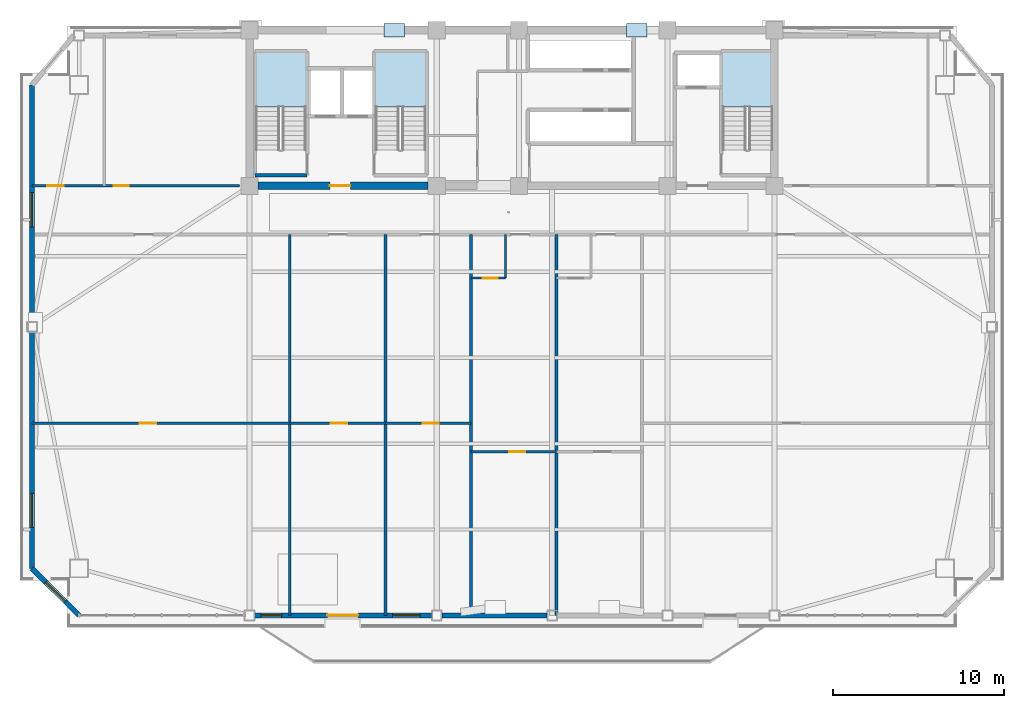
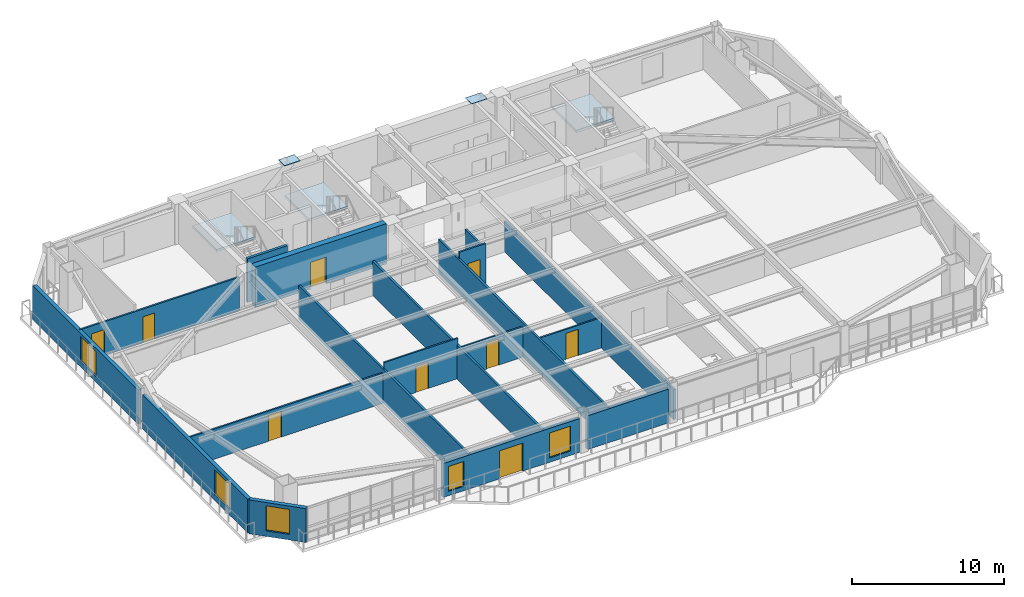
# One storey, part 8 of 17: 18 walls, 9 doors, 5 windows, 3 slabs, 2 plates, 14 openings, 3 elements without a shape of their own.
"""IFC4 building model written with IfcOpenShell, lengths in metres."""

from ifc_helpers import new_model, si_unit, direction, frame, frame_2d, origin, origin_2d, place, context, subcontext, project, spatial, polyline, rectangle, outline, extrude, source, transform, mapped, material, layer, layer_set, type_object, element, fill, aggregate, save


model = new_model("IFC4")

# Units and contexts
model_context = context("Model", 3, precision=1e-05, world=origin(), true_north=direction((0.0, 1.0)))
body_context = subcontext(model_context, "Body", "Model", "MODEL_VIEW")
ifc_project = project(units=[si_unit("LENGTHUNIT", "METRE"), si_unit("AREAUNIT", "SQUARE_METRE"), si_unit("VOLUMEUNIT", "CUBIC_METRE"), si_unit("PLANEANGLEUNIT", "RADIAN"), si_unit("MASSUNIT", "GRAM", prefix="KILO")], contexts=[model_context])

# Site, building, storey
site_placement = place(None, origin())
site = spatial("IfcSite", under=ifc_project, at=site_placement, CompositionType="ELEMENT")
building_placement = place(site_placement, origin())
building = spatial("IfcBuilding", under=site, at=building_placement, Name="Giltprow Tower", CompositionType="ELEMENT")
storey_placement = place(building_placement, frame((0.0, 0.0, 216.699951171875)))
storey = spatial("IfcBuildingStorey", under=building, at=storey_placement, Name="L55", CompositionType="ELEMENT", Elevation=216.699951171875)

# Stair, slab
ifc_material_1 = material(Name="Concrete C40", Category="concrete")
stair_type_1 = type_object("IfcStairType", Name="STR-ST-1", PredefinedType="HALF_TURN_STAIR", material=ifc_material_1)
stair_1_placement = place(storey_placement, origin())
stair_1 = element("IfcStair", 1, at=stair_1_placement, inside=storey, type_object=stair_type_1, Name="L55 Core Exit Stair ST-1", PredefinedType="HALF_TURN_STAIR")
ifc_layer_1 = layer(ifc_material_1, 0.179931640625, Name="Concrete C40")
ifc_layer_set_1 = layer_set([ifc_layer_1], Name="Concrete C40")
slab_type_1 = type_object("IfcSlabType", Name="SLD-ST-1", PredefinedType="LANDING", material=ifc_layer_set_1)
slab_1_placement = place(storey_placement, frame((0.0, 0.0, 1.570068359375)))
slab_1 = element("IfcSlab", 2, at=slab_1_placement, type_object=slab_type_1, Name="ST-1 landing 1", PredefinedType="LANDING", context=body_context, shape_type="SweptSolid", body=[
    extrude(outline(polyline([(23.159912109375, 42.070068359375), (23.159912109375, 45.25), (20.199951171875, 45.25), (20.199951171875, 42.070068359375), (23.159912109375, 42.070068359375)])), origin(), (0.0, 0.0, 1.0), 0.179931640625),
])
aggregate(stair_1, [slab_1])

stair_type_2 = type_object("IfcStairType", Name="STR-ST-2", PredefinedType="HALF_TURN_STAIR", material=ifc_material_1)
stair_2_placement = place(storey_placement, origin())
stair_2 = element("IfcStair", 3, at=stair_2_placement, inside=storey, type_object=stair_type_2, Name="L55 Core Exit Stair ST-2", PredefinedType="HALF_TURN_STAIR")
ifc_layer_2 = layer(ifc_material_1, 0.18798828125, Name="Concrete C40")
ifc_layer_set_2 = layer_set([ifc_layer_2], Name="Concrete C40")
slab_type_2 = type_object("IfcSlabType", Name="SLD-ST-2", PredefinedType="LANDING", material=ifc_layer_set_2)
slab_2_placement = place(storey_placement, frame((0.0, 0.0, 1.56201171875)))
slab_2 = element("IfcSlab", 4, at=slab_2_placement, type_object=slab_type_2, Name="ST-2 landing 1", PredefinedType="LANDING", context=body_context, shape_type="SweptSolid", body=[
    extrude(outline(polyline([(30.159912109375, 42.070068359375), (30.159912109375, 45.25), (27.199951171875, 45.25), (27.199951171875, 42.070068359375), (30.159912109375, 42.070068359375)])), origin(), (0.0, 0.0, 1.0), 0.18798828125),
])
aggregate(stair_2, [slab_2])

stair_type_3 = type_object("IfcStairType", Name="STR-ST-3", PredefinedType="HALF_TURN_STAIR", material=ifc_material_1)
stair_3_placement = place(storey_placement, origin())
stair_3 = element("IfcStair", 5, at=stair_3_placement, inside=storey, type_object=stair_type_3, Name="L55 Core Exit Stair ST-3", PredefinedType="HALF_TURN_STAIR")
ifc_layer_3 = layer(ifc_material_1, 0.196044921875, Name="Concrete C40")
ifc_layer_set_3 = layer_set([ifc_layer_3], Name="Concrete C40")
slab_type_3 = type_object("IfcSlabType", Name="SLD-ST-3", PredefinedType="LANDING", material=ifc_layer_set_3)
slab_3_placement = place(storey_placement, frame((0.0, 0.0, 1.553955078125)))
slab_3 = element("IfcSlab", 6, at=slab_3_placement, type_object=slab_type_3, Name="ST-3 landing 1", PredefinedType="LANDING", context=body_context, shape_type="SweptSolid", body=[
    extrude(outline(polyline([(50.4599609375, 42.070068359375), (50.4599609375, 45.25), (47.5, 45.25), (47.5, 42.070068359375), (50.4599609375, 42.070068359375)])), origin(), (0.0, 0.0, 1.0), 0.196044921875),
])
aggregate(stair_3, [slab_3])

# Plates
ifc_material_2 = material(Name="Structural steel Q420GJC", Category="steel")
plate_type = type_object("IfcPlateType", Name="PLT-CAP-SEAL", PredefinedType="USERDEFINED", material=ifc_material_2)
shared_shape_1 = source(origin(), body_context, "Body", "SweptSolid", [
    extrude(rectangle(XDim=1.199951171875, YDim=0.800048828125, at=origin_2d()), origin(), (0.0, 0.0, 1.0), 0.034912109375),
])
for number, where, z_axis, x_axis, name in (
    (7, (28.306884765625, 46.550048828125, 3.3427734375), (0.0, 0.0, 1.0), (1.0, 0.0, 0.0), "Mega-Brace Node L55-N-LB"),
    (8, (42.4990234375, 46.550048828125, 3.3427734375), (0.0, 0.0, 1.0), (1.0, 0.0, 0.0), "Mega-Brace Node L55-N-RB"),
):
    element("IfcPlate", number, at=place(storey_placement, frame(where, z_axis=z_axis, x_axis=x_axis)), inside=storey, type_object=plate_type, Name=name, ObjectType="SPLICE", PredefinedType="USERDEFINED", context=body_context, shape_type="MappedRepresentation", body=[
        mapped(shared_shape_1, transform((0.0, 0.0, 0.0), x_axis=(1.0, 0.0, 0.0), y_axis=(0.0, 1.0, 0.0), z_axis=(0.0, 0.0, 1.0), scale=1.0)),
    ])

# Wall, opening, window
ifc_material_3 = material(Name="Precast concrete C40", Category="concrete")
ifc_layer_4 = layer(ifc_material_3, 0.300048828125, Name="Precast concrete C40")
ifc_layer_set_4 = layer_set([ifc_layer_4], Name="Precast concrete C40")
wall_type_1 = type_object("IfcWallType", Name="EW-NOTCH-CHAMFER-300", PredefinedType="SOLIDWALL", material=ifc_layer_set_4)
wall_1_placement = place(storey_placement, frame((7.117919921875, 15.072021484375, 0.0), z_axis=(0.0, 0.0, 1.0), x_axis=(0.707138122488, -0.707075438496, 0.0)))
wall_1 = element("IfcWall", 9, at=wall_1_placement, inside=storey, type_object=wall_type_1, Name="L55 Corner Notch Wall SW", PredefinedType="SOLIDWALL", context=body_context, shape_type="SweptSolid", body=[
    extrude(rectangle(XDim=3.894775390625, YDim=0.300048828125, at=frame_2d((1.947265625, 0.0))), origin(), (0.0, 0.0, 1.0), 2.719970703125),
])
opening_1_placement = place(wall_1_placement, frame((1.14697265625, 0.0, 0.449951171875)))
opening_1 = element("IfcOpeningElement", 10, at=opening_1_placement, cuts=wall_1, Name="Opening WN17", PredefinedType="OPENING", context=body_context, shape_type="SweptSolid", body=[
    extrude(rectangle(XDim=1.60009765625, YDim=2.0, at=frame_2d((0.800048828125, 1.0))), frame((0.0, 0.159912109375, 0.0), z_axis=(0.0, -1.0, 0.0), x_axis=(1.0, 0.0, 0.0)), (0.0, 0.0, 1.0), 0.320068359375),
])
ifc_material_4 = material(Name="Insulated glass", Category="glass")
window_type_1 = type_object("IfcWindowType", Name="WN-COR-1600x2000", PartitioningType="SINGLE_PANEL", PredefinedType="WINDOW", material=ifc_material_4)
shared_shape_2 = source(origin(), body_context, "Body", "SweptSolid", [
    extrude(rectangle(XDim=1.60009765625, YDim=2.0, at=frame_2d((0.800048828125, 1.0))), frame((0.0, 0.030029296875, 0.0), z_axis=(0.0, -1.0, 0.0), x_axis=(1.0, 0.0, 0.0)), (0.0, 0.0, 1.0), 0.06005859375),
])
window_1_placement = place(opening_1_placement, origin())
window_1 = element("IfcWindow", 11, at=window_1_placement, inside=storey, type_object=window_type_1, Name="L55 Corner Notch Window SW", OverallHeight=2.0, OverallWidth=1.60009765625, PartitioningType="SINGLE_PANEL", PredefinedType="WINDOW", context=body_context, shape_type="MappedRepresentation", body=[
    mapped(shared_shape_2, transform((0.0, 0.0, 0.0), x_axis=(1.0, 0.0, 0.0), y_axis=(0.0, 1.0, 0.0), z_axis=(0.0, 0.0, 1.0), scale=1.0)),
])
fill(opening_1, window_1)

# Wall, openings, windows, door
ifc_layer_5 = layer(ifc_material_3, 0.280029296875, Name="Precast concrete C40")
ifc_layer_set_5 = layer_set([ifc_layer_5], Name="Precast concrete C40")
wall_type_2 = type_object("IfcWallType", Name="EW-TOW-BRONZE-280", PredefinedType="SOLIDWALL", material=ifc_layer_set_5)
wall_2_placement = place(storey_placement, frame((20.14990234375, 12.318115234375, 0.0), z_axis=(0.0, 0.0, 1.0), x_axis=(1.0, 0.0, 0.0)))
wall_2 = element("IfcWall", 12, at=wall_2_placement, inside=storey, type_object=wall_type_2, Name="L55 South Expressed Frame Wall 2", PredefinedType="SOLIDWALL", context=body_context, shape_type="SweptSolid", body=[
    extrude(rectangle(XDim=10.35009765625, YDim=0.280029296875, at=frame_2d((5.175048828125, 0.0))), origin(), (0.0, 0.0, 1.0), 2.719970703125),
])
opening_2_placement = place(wall_2_placement, frame((4.25, 0.0, 0.0)))
opening_2 = element("IfcOpeningElement", 13, at=opening_2_placement, cuts=wall_2, Name="Opening ED25", PredefinedType="OPENING", context=body_context, shape_type="SweptSolid", body=[
    extrude(rectangle(XDim=1.800048828125, YDim=2.25, at=frame_2d((0.89990234375, 1.125))), frame((0.0, 0.14990234375, 0.0), z_axis=(0.0, -1.0, 0.0), x_axis=(1.0, 0.0, 0.0)), (0.0, 0.0, 1.0), 0.300048828125),
])
opening_3_placement = place(wall_2_placement, frame((0.3798828125, 0.0, 0.35009765625)))
opening_3 = element("IfcOpeningElement", 14, at=opening_3_placement, cuts=wall_2, Name="Opening WN11", PredefinedType="OPENING", context=body_context, shape_type="SweptSolid", body=[
    extrude(rectangle(XDim=1.199951171875, YDim=2.0, at=frame_2d((0.60009765625, 1.0))), frame((0.0, 0.14990234375, 0.0), z_axis=(0.0, -1.0, 0.0), x_axis=(1.0, 0.0, 0.0)), (0.0, 0.0, 1.0), 0.300048828125),
])
opening_4_placement = place(wall_2_placement, frame((8.070068359375, 0.0, 0.35009765625)))
opening_4 = element("IfcOpeningElement", 15, at=opening_4_placement, cuts=wall_2, Name="Opening WN17", PredefinedType="OPENING", context=body_context, shape_type="SweptSolid", body=[
    extrude(rectangle(XDim=1.60009765625, YDim=2.0, at=frame_2d((0.800048828125, 1.0))), frame((0.0, 0.14990234375, 0.0), z_axis=(0.0, -1.0, 0.0), x_axis=(1.0, 0.0, 0.0)), (0.0, 0.0, 1.0), 0.300048828125),
])
window_2_placement = place(opening_4_placement, origin())
window_2 = element("IfcWindow", 16, at=window_2_placement, inside=storey, type_object=window_type_1, Name="L55 South Window 2B", OverallHeight=2.0, OverallWidth=1.60009765625, PartitioningType="SINGLE_PANEL", PredefinedType="WINDOW", context=body_context, shape_type="MappedRepresentation", body=[
    mapped(shared_shape_2, transform((0.0, 0.0, 0.0), x_axis=(1.0, 0.0, 0.0), y_axis=(0.0, 1.0, 0.0), z_axis=(0.0, 0.0, 1.0), scale=1.0)),
])
fill(opening_4, window_2)
ifc_material_5 = material(Name="Anodized bronze and glass", Category="glass")
door_type_1 = type_object("IfcDoorType", Name="DR-BALC-SLIDE-1800", OperationType="SLIDING_TO_LEFT", PredefinedType="DOOR", material=ifc_material_5)
shared_shape_3 = source(origin(), body_context, "Body", "SweptSolid", [
    extrude(rectangle(XDim=1.800048828125, YDim=2.25, at=frame_2d((0.89990234375, 1.125))), frame((0.0, 0.02490234375, 0.0), z_axis=(0.0, -1.0, 0.0), x_axis=(1.0, 0.0, 0.0)), (0.0, 0.0, 1.0), 0.050048828125),
])
door_1_placement = place(opening_2_placement, origin())
door_1 = element("IfcDoor", 17, at=door_1_placement, inside=storey, type_object=door_type_1, Name="L55 Waterfront Balcony Sliding Door 1", OperationType="SLIDING_TO_LEFT", OverallHeight=2.25, OverallWidth=1.800048828125, PredefinedType="DOOR", context=body_context, shape_type="MappedRepresentation", body=[
    mapped(shared_shape_3, transform((0.0, 0.0, 0.0), x_axis=(1.0, 0.0, 0.0), y_axis=(0.0, 1.0, 0.0), z_axis=(0.0, 0.0, 1.0), scale=1.0)),
])
fill(opening_2, door_1)
window_type_2 = type_object("IfcWindowType", Name="WN-LANCET-1200x2000", PartitioningType="SINGLE_PANEL", PredefinedType="WINDOW", material=ifc_material_4)
shared_shape_4 = source(origin(), body_context, "Body", "SweptSolid", [
    extrude(rectangle(XDim=1.199951171875, YDim=2.0, at=frame_2d((0.60009765625, 1.0))), frame((0.0, 0.030029296875, 0.0), z_axis=(0.0, -1.0, 0.0), x_axis=(1.0, 0.0, 0.0)), (0.0, 0.0, 1.0), 0.06005859375),
])
window_3_placement = place(opening_3_placement, origin())
window_3 = element("IfcWindow", 18, at=window_3_placement, inside=storey, type_object=window_type_2, Name="L55 South Window 2A", OverallHeight=2.0, OverallWidth=1.199951171875, PartitioningType="SINGLE_PANEL", PredefinedType="WINDOW", context=body_context, shape_type="MappedRepresentation", body=[
    mapped(shared_shape_4, transform((0.0, 0.0, 0.0), x_axis=(1.0, 0.0, 0.0), y_axis=(0.0, 1.0, 0.0), z_axis=(0.0, 0.0, 1.0), scale=1.0)),
])
fill(opening_3, window_3)

# Wall
wall_3_placement = place(storey_placement, frame((31.10009765625, 12.318115234375, 0.0), z_axis=(0.0, 0.0, 1.0), x_axis=(1.0, 0.0, 0.0)))
element("IfcWall", 19, at=wall_3_placement, inside=storey, type_object=wall_type_2, Name="L55 South Expressed Frame Wall 3", PredefinedType="SOLIDWALL", context=body_context, shape_type="SweptSolid", body=[
    extrude(rectangle(XDim=6.14990234375, YDim=0.280029296875, at=frame_2d((3.074951171875, 0.0))), origin(), (0.0, 0.0, 1.0), 2.719970703125),
])

# Wall, opening, window
wall_4_placement = place(storey_placement, frame((7.117919921875, 15.072021484375, 0.0), z_axis=(0.0, 0.0, 1.0), x_axis=(0.0, 1.0, 0.0)))
wall_4 = element("IfcWall", 20, at=wall_4_placement, inside=storey, type_object=wall_type_2, Name="L55 W Wing Masonry Wall 1", PredefinedType="SOLIDWALL", context=body_context, shape_type="SweptSolid", body=[
    extrude(rectangle(XDim=13.8369140625, YDim=0.280029296875, at=frame_2d((6.91845703125, 0.0))), origin(), (0.0, 0.0, 1.0), 2.719970703125),
])
opening_5_placement = place(wall_4_placement, frame((2.39208984375, 0.0, 0.449951171875)))
opening_5 = element("IfcOpeningElement", 21, at=opening_5_placement, cuts=wall_4, Name="Opening WN21", PredefinedType="OPENING", context=body_context, shape_type="SweptSolid", body=[
    extrude(rectangle(XDim=2.0, YDim=2.0, at=frame_2d((1.0, 1.0))), frame((0.0, 0.14990234375, 0.0), z_axis=(0.0, -1.0, 0.0), x_axis=(1.0, 0.0, 0.0)), (0.0, 0.0, 1.0), 0.300048828125),
])
window_type_3 = type_object("IfcWindowType", Name="WN-HTL-2000x2000", PartitioningType="DOUBLE_PANEL_VERTICAL", PredefinedType="WINDOW", material=ifc_material_4)
shared_shape_5 = source(origin(), body_context, "Body", "SweptSolid", [
    extrude(rectangle(XDim=2.0, YDim=2.0, at=frame_2d((1.0, 1.0))), frame((0.0, 0.030029296875, 0.0), z_axis=(0.0, -1.0, 0.0), x_axis=(1.0, 0.0, 0.0)), (0.0, 0.0, 1.0), 0.06005859375),
])
window_4_placement = place(opening_5_placement, origin())
window_4 = element("IfcWindow", 22, at=window_4_placement, inside=storey, type_object=window_type_3, Name="L55 W Wing Window 1-1", OverallHeight=2.0, OverallWidth=2.0, PartitioningType="SINGLE_PANEL", PredefinedType="WINDOW", context=body_context, shape_type="MappedRepresentation", body=[
    mapped(shared_shape_5, transform((0.0, 0.0, 0.0), x_axis=(1.0, 0.0, 0.0), y_axis=(0.0, 1.0, 0.0), z_axis=(0.0, 0.0, 1.0), scale=1.0)),
])
fill(opening_5, window_4)

wall_5_placement = place(storey_placement, frame((7.117919921875, 29.509033203125, 0.0), z_axis=(0.0, 0.0, 1.0), x_axis=(0.0, 1.0, 0.0)))
wall_5 = element("IfcWall", 23, at=wall_5_placement, inside=storey, type_object=wall_type_2, Name="L55 W Wing Masonry Wall 2", PredefinedType="SOLIDWALL", context=body_context, shape_type="SweptSolid", body=[
    extrude(rectangle(XDim=13.8369140625, YDim=0.280029296875, at=frame_2d((6.91845703125, 0.0))), origin(), (0.0, 0.0, 1.0), 2.719970703125),
])
opening_6_placement = place(wall_5_placement, frame((5.535888671875, 0.0, 0.449951171875)))
opening_6 = element("IfcOpeningElement", 24, at=opening_6_placement, cuts=wall_5, Name="Opening WN21", PredefinedType="OPENING", context=body_context, shape_type="SweptSolid", body=[
    extrude(rectangle(XDim=2.0, YDim=2.0, at=frame_2d((1.0, 1.0))), frame((0.0, 0.14990234375, 0.0), z_axis=(0.0, -1.0, 0.0), x_axis=(1.0, 0.0, 0.0)), (0.0, 0.0, 1.0), 0.300048828125),
])
window_5_placement = place(opening_6_placement, origin())
window_5 = element("IfcWindow", 25, at=window_5_placement, inside=storey, type_object=window_type_3, Name="L55 W Wing Window 2-1", OverallHeight=2.0, OverallWidth=2.0, PartitioningType="SINGLE_PANEL", PredefinedType="WINDOW", context=body_context, shape_type="MappedRepresentation", body=[
    mapped(shared_shape_5, transform((0.0, 0.0, 0.0), x_axis=(1.0, 0.0, 0.0), y_axis=(0.0, 1.0, 0.0), z_axis=(0.0, 0.0, 1.0), scale=1.0)),
])
fill(opening_6, window_5)

# Walls
ifc_material_6 = material(Name="Gypsum stud partition", Category="gypsum")
ifc_layer_6 = layer(ifc_material_6, 0.159912109375, Name="Gypsum stud partition")
ifc_layer_set_6 = layer_set([ifc_layer_6], Name="Gypsum stud partition")
wall_type_3 = type_object("IfcWallType", Name="IW-DEMISE-160", PredefinedType="PARTITIONING", material=ifc_layer_set_6)
for number, where, z_axis, x_axis, name in (
    (26, (22.199951171875, 12.318115234375, 0.0), (0.0, 0.0, 1.0), (0.0, 1.0, 0.0), "L55 Hotel Demising Wall 1"),
    (27, (27.800048828125, 12.318115234375, 0.0), (0.0, 0.0, 1.0), (0.0, 1.0, 0.0), "L55 Hotel Demising Wall 2"),
    (28, (32.800048828125, 12.318115234375, 0.0), (0.0, 0.0, 1.0), (0.0, 1.0, 0.0), "L55 Hotel Demising Wall 3"),
):
    element("IfcWall", number, at=place(storey_placement, frame(where, z_axis=z_axis, x_axis=x_axis)), inside=storey, type_object=wall_type_3, Name=name, PredefinedType="PARTITIONING", context=body_context, shape_type="SweptSolid", body=[
        extrude(rectangle(XDim=22.281982421875, YDim=0.159912109375, at=frame_2d((11.14111328125, 0.0))), origin(), (0.0, 0.0, 1.0), 2.72509765625),
    ])
wall_6_placement = place(storey_placement, frame((37.800048828125, 12.318115234375, 0.0), z_axis=(0.0, 0.0, 1.0), x_axis=(0.0, 1.0, 0.0)))
element("IfcWall", 29, at=wall_6_placement, inside=storey, type_object=wall_type_3, Name="L55 Hotel Demising Wall 4", PredefinedType="PARTITIONING", context=body_context, shape_type="SweptSolid", body=[
    extrude(rectangle(XDim=22.281982421875, YDim=0.159912109375, at=frame_2d((11.14111328125, 0.0))), origin(), (0.0, 0.0, 1.0), 2.425048828125),
])

# Wall, opening, door
ifc_layer_7 = layer(ifc_material_6, 0.1201171875, Name="Gypsum stud partition")
ifc_layer_set_7 = layer_set([ifc_layer_7], Name="Gypsum stud partition")
wall_type_4 = type_object("IfcWallType", Name="IW-ROOM-120", PredefinedType="PARTITIONING", material=ifc_layer_set_7)
wall_7_placement = place(storey_placement, frame((7.117919921875, 23.55908203125, 0.0), z_axis=(0.0, 0.0, 1.0), x_axis=(1.0, 0.0, 0.0)))
wall_7 = element("IfcWall", 30, at=wall_7_placement, inside=storey, type_object=wall_type_4, Name="L55 Amenity Mid Wall 1", PredefinedType="PARTITIONING", context=body_context, shape_type="SweptSolid", body=[
    extrude(rectangle(XDim=15.08203125, YDim=0.1201171875, at=frame_2d((7.541015625, 0.0))), origin(), (0.0, 0.0, 1.0), 2.425048828125),
])
opening_7_placement = place(wall_7_placement, frame((6.319091796875, 0.0, 0.0)))
opening_7 = element("IfcOpeningElement", 31, at=opening_7_placement, cuts=wall_7, Name="Opening ID11", PredefinedType="OPENING", context=body_context, shape_type="SweptSolid", body=[
    extrude(rectangle(XDim=0.949951171875, YDim=2.10009765625, at=frame_2d((0.47509765625, 1.050048828125))), frame((0.0, 0.070068359375, 0.0), z_axis=(0.0, -1.0, 0.0), x_axis=(1.0, 0.0, 0.0)), (0.0, 0.0, 1.0), 0.14013671875),
])
ifc_material_7 = material(Name="Engineered timber", Category="wood")
door_type_2 = type_object("IfcDoorType", Name="DR-ROOM-950", OperationType="SINGLE_SWING_RIGHT", PredefinedType="DOOR", material=ifc_material_7)
shared_shape_6 = source(origin(), body_context, "Body", "SweptSolid", [
    extrude(rectangle(XDim=0.949951171875, YDim=2.10009765625, at=frame_2d((0.47509765625, 1.050048828125))), frame((0.0, 0.02490234375, 0.0), z_axis=(0.0, -1.0, 0.0), x_axis=(1.0, 0.0, 0.0)), (0.0, 0.0, 1.0), 0.050048828125),
])
door_2_placement = place(opening_7_placement, origin())
door_2 = element("IfcDoor", 32, at=door_2_placement, inside=storey, type_object=door_type_2, Name="L55 VIP Arrival Reception 1 Inner Door", OperationType="SINGLE_SWING_LEFT", OverallHeight=2.10009765625, OverallWidth=0.949951171875, PredefinedType="DOOR", context=body_context, shape_type="MappedRepresentation", body=[
    mapped(shared_shape_6, transform((0.0, 0.0, 0.0), x_axis=(1.0, 0.0, 0.0), y_axis=(0.0, 1.0, 0.0), z_axis=(0.0, 0.0, 1.0), scale=1.0)),
])
fill(opening_7, door_2)

wall_8_placement = place(storey_placement, frame((22.199951171875, 23.55908203125, 0.0), z_axis=(0.0, 0.0, 1.0), x_axis=(1.0, 0.0, 0.0)))
wall_8 = element("IfcWall", 33, at=wall_8_placement, inside=storey, type_object=wall_type_4, Name="L55 Amenity Mid Wall 2", PredefinedType="PARTITIONING", context=body_context, shape_type="SweptSolid", body=[
    extrude(rectangle(XDim=5.60009765625, YDim=0.1201171875, at=frame_2d((2.800048828125, 0.0))), origin(), (0.0, 0.0, 1.0), 3.239990234375),
])
opening_8_placement = place(wall_8_placement, frame((2.406005859375, 0.0, 0.0)))
opening_8 = element("IfcOpeningElement", 34, at=opening_8_placement, cuts=wall_8, Name="Opening ID11", PredefinedType="OPENING", context=body_context, shape_type="SweptSolid", body=[
    extrude(rectangle(XDim=0.949951171875, YDim=2.10009765625, at=frame_2d((0.47509765625, 1.050048828125))), frame((0.0, 0.070068359375, 0.0), z_axis=(0.0, -1.0, 0.0), x_axis=(1.0, 0.0, 0.0)), (0.0, 0.0, 1.0), 0.14013671875),
])
door_3_placement = place(opening_8_placement, origin())
door_3 = element("IfcDoor", 35, at=door_3_placement, inside=storey, type_object=door_type_2, Name="L55 Bridal Suite Reception 2 Inner Door", OperationType="SINGLE_SWING_LEFT", OverallHeight=2.10009765625, OverallWidth=0.949951171875, PredefinedType="DOOR", context=body_context, shape_type="MappedRepresentation", body=[
    mapped(shared_shape_6, transform((0.0, 0.0, 0.0), x_axis=(1.0, 0.0, 0.0), y_axis=(0.0, 1.0, 0.0), z_axis=(0.0, 0.0, 1.0), scale=1.0)),
])
fill(opening_8, door_3)

wall_9_placement = place(storey_placement, frame((27.800048828125, 23.55908203125, 0.0), z_axis=(0.0, 0.0, 1.0), x_axis=(1.0, 0.0, 0.0)))
wall_9 = element("IfcWall", 36, at=wall_9_placement, inside=storey, type_object=wall_type_4, Name="L55 Amenity Mid Wall 3", PredefinedType="PARTITIONING", context=body_context, shape_type="SweptSolid", body=[
    extrude(rectangle(XDim=5.0, YDim=0.1201171875, at=frame_2d((2.5, 0.0))), origin(), (0.0, 0.0, 1.0), 2.425048828125),
])
opening_9_placement = place(wall_9_placement, frame((2.166015625, 0.0, 0.0)))
opening_9 = element("IfcOpeningElement", 37, at=opening_9_placement, cuts=wall_9, Name="Opening ID11", PredefinedType="OPENING", context=body_context, shape_type="SweptSolid", body=[
    extrude(rectangle(XDim=0.949951171875, YDim=2.10009765625, at=frame_2d((0.47509765625, 1.050048828125))), frame((0.0, 0.070068359375, 0.0), z_axis=(0.0, -1.0, 0.0), x_axis=(1.0, 0.0, 0.0)), (0.0, 0.0, 1.0), 0.14013671875),
])
door_4_placement = place(opening_9_placement, origin())
door_4 = element("IfcDoor", 38, at=door_4_placement, inside=storey, type_object=door_type_2, Name="L55 Jewellery Gallery Shop Inner Door", OperationType="SINGLE_SWING_LEFT", OverallHeight=2.10009765625, OverallWidth=0.949951171875, PredefinedType="DOOR", context=body_context, shape_type="MappedRepresentation", body=[
    mapped(shared_shape_6, transform((0.0, 0.0, 0.0), x_axis=(1.0, 0.0, 0.0), y_axis=(0.0, 1.0, 0.0), z_axis=(0.0, 0.0, 1.0), scale=1.0)),
])
fill(opening_9, door_4)

wall_10_placement = place(storey_placement, frame((32.800048828125, 21.89306640625, 0.0), z_axis=(0.0, 0.0, 1.0), x_axis=(1.0, 0.0, 0.0)))
wall_10 = element("IfcWall", 39, at=wall_10_placement, inside=storey, type_object=wall_type_4, Name="L55 Suite Parlour Divider 4", PredefinedType="PARTITIONING", context=body_context, shape_type="SweptSolid", body=[
    extrude(rectangle(XDim=5.0, YDim=0.1201171875, at=frame_2d((2.5, 0.0))), origin(), (0.0, 0.0, 1.0), 2.425048828125),
])
opening_10_placement = place(wall_10_placement, frame((2.22509765625, 0.0, 0.0)))
opening_10 = element("IfcOpeningElement", 40, at=opening_10_placement, cuts=wall_10, Name="Opening ID11", PredefinedType="OPENING", context=body_context, shape_type="SweptSolid", body=[
    extrude(rectangle(XDim=0.949951171875, YDim=2.10009765625, at=frame_2d((0.47509765625, 1.050048828125))), frame((0.0, 0.070068359375, 0.0), z_axis=(0.0, -1.0, 0.0), x_axis=(1.0, 0.0, 0.0)), (0.0, 0.0, 1.0), 0.14013671875),
])
door_5_placement = place(opening_10_placement, origin())
door_5 = element("IfcDoor", 41, at=door_5_placement, inside=storey, type_object=door_type_2, Name="L55 Harbour Parlour 4 Door", OperationType="SINGLE_SWING_RIGHT", OverallHeight=2.10009765625, OverallWidth=0.949951171875, PredefinedType="DOOR", context=body_context, shape_type="MappedRepresentation", body=[
    mapped(shared_shape_6, transform((0.0, 0.0, 0.0), x_axis=(1.0, 0.0, 0.0), y_axis=(0.0, 1.0, 0.0), z_axis=(0.0, 0.0, 1.0), scale=1.0)),
])
fill(opening_10, door_5)

# Wall
ifc_layer_8 = layer(ifc_material_1, 0.199951171875, Name="Concrete C40")
ifc_layer_set_8 = layer_set([ifc_layer_8], Name="Concrete C40")
wall_type_5 = type_object("IfcWallType", Name="IW-STAIR-200", PredefinedType="SOLIDWALL", material=ifc_layer_set_8)
wall_11_placement = place(storey_placement, frame((20.169921875, 38.070068359375, 0.0), z_axis=(0.0, 0.0, 1.0), x_axis=(1.0, 0.0, 0.0)))
element("IfcWall", 42, at=wall_11_placement, inside=storey, type_object=wall_type_5, Name="L55 Stair ST-1 South Bearing Wall", PredefinedType="SOLIDWALL", context=body_context, shape_type="SweptSolid", body=[
    extrude(rectangle(XDim=3.050048828125, YDim=0.199951171875, at=frame_2d((1.52490234375, 0.0))), origin(), (0.0, 0.0, 1.0), 3.5),
])

# Wall, opening, door
ifc_material_8 = material(Name="Concrete C30", Category="concrete")
ifc_layer_9 = layer(ifc_material_8, 0.1298828125, Name="Concrete C30")
ifc_layer_set_9 = layer_set([ifc_layer_9], Name="Concrete C30")
wall_type_6 = type_object("IfcWallType", Name="IW-WET-130", PredefinedType="PARTITIONING", material=ifc_layer_set_9)
wall_12_placement = place(storey_placement, frame((32.800048828125, 32.050048828125, 0.0), z_axis=(0.0, 0.0, 1.0), x_axis=(1.0, 0.0, 0.0)))
wall_12 = element("IfcWall", 43, at=wall_12_placement, inside=storey, type_object=wall_type_6, Name="L55 En-Suite South Wall 4", PredefinedType="PARTITIONING", context=body_context, shape_type="SweptSolid", body=[
    extrude(rectangle(XDim=2.015869140625, YDim=0.1298828125, at=frame_2d((1.0078125, 0.0))), origin(), (0.0, 0.0, 1.0), 3.239990234375),
])
opening_11_placement = place(wall_12_placement, frame((0.677978515625, 0.0, 0.0)))
opening_11 = element("IfcOpeningElement", 44, at=opening_11_placement, cuts=wall_12, Name="Opening ID15", PredefinedType="OPENING", context=body_context, shape_type="SweptSolid", body=[
    extrude(rectangle(XDim=0.89990234375, YDim=2.10009765625, at=frame_2d((0.449951171875, 1.050048828125))), frame((0.0, 0.074951171875, 0.0), z_axis=(0.0, -1.0, 0.0), x_axis=(1.0, 0.0, 0.0)), (0.0, 0.0, 1.0), 0.14990234375),
])
door_type_3 = type_object("IfcDoorType", Name="DR-WC-900", OperationType="SINGLE_SWING_LEFT", PredefinedType="DOOR", material=ifc_material_7)
shared_shape_7 = source(origin(), body_context, "Body", "SweptSolid", [
    extrude(rectangle(XDim=0.89990234375, YDim=2.10009765625, at=frame_2d((0.449951171875, 1.050048828125))), frame((0.0, 0.02490234375, 0.0), z_axis=(0.0, -1.0, 0.0), x_axis=(1.0, 0.0, 0.0)), (0.0, 0.0, 1.0), 0.050048828125),
])
door_6_placement = place(opening_11_placement, origin())
door_6 = element("IfcDoor", 45, at=door_6_placement, inside=storey, type_object=door_type_3, Name="L55 En-Suite 4 Door", OperationType="SINGLE_SWING_LEFT", OverallHeight=2.10009765625, OverallWidth=0.89990234375, PredefinedType="DOOR", context=body_context, shape_type="MappedRepresentation", body=[
    mapped(shared_shape_7, transform((0.0, 0.0, 0.0), x_axis=(1.0, 0.0, 0.0), y_axis=(0.0, 1.0, 0.0), z_axis=(0.0, 0.0, 1.0), scale=1.0)),
])
fill(opening_11, door_6)

# Wall
wall_13_placement = place(storey_placement, frame((34.81591796875, 32.050048828125, 0.0), z_axis=(0.0, 0.0, 1.0), x_axis=(0.0, 1.0, 0.0)))
element("IfcWall", 46, at=wall_13_placement, inside=storey, type_object=wall_type_6, Name="L55 En-Suite East Wall 4", PredefinedType="PARTITIONING", context=body_context, shape_type="SweptSolid", body=[
    extrude(rectangle(XDim=2.550048828125, YDim=0.1298828125, at=frame_2d((1.27490234375, 0.0))), origin(), (0.0, 0.0, 1.0), 2.824951171875),
])

# Wall, openings, doors
wall_14_placement = place(storey_placement, frame((7.117919921875, 37.449951171875, 0.0), z_axis=(0.0, 0.0, 1.0), x_axis=(1.0, 0.0, 0.0)))
wall_14 = element("IfcWall", 47, at=wall_14_placement, inside=storey, type_object=wall_type_6, Name="L55 NW Wing South Wall", PredefinedType="PARTITIONING", context=body_context, shape_type="SweptSolid", body=[
    extrude(rectangle(XDim=12.132080078125, YDim=0.1298828125, at=frame_2d((6.06591796875, 0.0))), origin(), (0.0, 0.0, 1.0), 2.72509765625),
])
opening_12_placement = place(wall_14_placement, frame((0.89990234375, 0.0, 0.0)))
opening_12 = element("IfcOpeningElement", 48, at=opening_12_placement, cuts=wall_14, Name="Opening ID11", PredefinedType="OPENING", context=body_context, shape_type="SweptSolid", body=[
    extrude(rectangle(XDim=0.949951171875, YDim=2.10009765625, at=frame_2d((0.47509765625, 1.050048828125))), frame((0.0, 0.074951171875, 0.0), z_axis=(0.0, -1.0, 0.0), x_axis=(1.0, 0.0, 0.0)), (0.0, 0.0, 1.0), 0.14990234375),
])
opening_13_placement = place(wall_14_placement, frame((4.77294921875, 0.0, 0.0)))
opening_13 = element("IfcOpeningElement", 49, at=opening_13_placement, cuts=wall_14, Name="Opening ID15", PredefinedType="OPENING", context=body_context, shape_type="SweptSolid", body=[
    extrude(rectangle(XDim=0.89990234375, YDim=2.10009765625, at=frame_2d((0.449951171875, 1.050048828125))), frame((0.0, 0.074951171875, 0.0), z_axis=(0.0, -1.0, 0.0), x_axis=(1.0, 0.0, 0.0)), (0.0, 0.0, 1.0), 0.14990234375),
])
door_7_placement = place(opening_13_placement, origin())
door_7 = element("IfcDoor", 50, at=door_7_placement, inside=storey, type_object=door_type_3, Name="L55 NW Washroom Door", OperationType="SINGLE_SWING_LEFT", OverallHeight=2.10009765625, OverallWidth=0.89990234375, PredefinedType="DOOR", context=body_context, shape_type="MappedRepresentation", body=[
    mapped(shared_shape_7, transform((0.0, 0.0, 0.0), x_axis=(1.0, 0.0, 0.0), y_axis=(0.0, 1.0, 0.0), z_axis=(0.0, 0.0, 1.0), scale=1.0)),
])
fill(opening_13, door_7)
door_8_placement = place(opening_12_placement, origin())
door_8 = element("IfcDoor", 51, at=door_8_placement, inside=storey, type_object=door_type_2, Name="L55 Hotel Floor Butler Office West Door", OperationType="SINGLE_SWING_RIGHT", OverallHeight=2.10009765625, OverallWidth=0.949951171875, PredefinedType="DOOR", context=body_context, shape_type="MappedRepresentation", body=[
    mapped(shared_shape_6, transform((0.0, 0.0, 0.0), x_axis=(1.0, 0.0, 0.0), y_axis=(0.0, 1.0, 0.0), z_axis=(0.0, 0.0, 1.0), scale=1.0)),
])
fill(opening_12, door_8)

# Wall, opening, door
ifc_material_9 = material(Name="Concrete C50", Category="concrete")
ifc_layer_10 = layer(ifc_material_9, 0.449951171875, Name="Concrete C50")
ifc_layer_set_10 = layer_set([ifc_layer_10], Name="Concrete C50")
wall_type_7 = type_object("IfcWallType", Name="SW-INT-450-C50", PredefinedType="SHEAR", material=ifc_layer_set_10)
wall_15_placement = place(storey_placement, frame((20.35009765625, 37.449951171875, 0.0), z_axis=(0.0, 0.0, 1.0), x_axis=(1.0, 0.0, 0.0)))
wall_15 = element("IfcWall", 52, at=wall_15_placement, inside=storey, type_object=wall_type_7, Name="L55 South Rear Core Shear Wall West", PredefinedType="SHEAR", context=body_context, shape_type="SweptSolid", body=[
    extrude(rectangle(XDim=9.949951171875, YDim=0.449951171875, at=frame_2d((4.97509765625, 0.0))), origin(), (0.0, 0.0, 1.0), 3.239990234375),
])
opening_14_placement = place(wall_15_placement, frame((4.199951171875, 0.0, 0.0)))
opening_14 = element("IfcOpeningElement", 53, at=opening_14_placement, cuts=wall_15, Name="Opening ID19", PredefinedType="OPENING", context=body_context, shape_type="SweptSolid", body=[
    extrude(rectangle(XDim=1.199951171875, YDim=2.14990234375, at=frame_2d((0.60009765625, 1.074951171875))), frame((0.0, 0.23486328125, 0.0), z_axis=(0.0, -1.0, 0.0), x_axis=(1.0, 0.0, 0.0)), (0.0, 0.0, 1.0), 0.469970703125),
])
ifc_material_10 = material(Name="Steel fire leaf", Category="steel")
door_type_4 = type_object("IfcDoorType", Name="DR-FFLOBBY-1200", OperationType="SINGLE_SWING_RIGHT", PredefinedType="DOOR", material=ifc_material_10)
shared_shape_8 = source(origin(), body_context, "Body", "SweptSolid", [
    extrude(rectangle(XDim=1.199951171875, YDim=2.14990234375, at=frame_2d((0.60009765625, 1.074951171875))), frame((0.0, 0.02490234375, 0.0), z_axis=(0.0, -1.0, 0.0), x_axis=(1.0, 0.0, 0.0)), (0.0, 0.0, 1.0), 0.050048828125),
])
door_9_placement = place(opening_14_placement, origin())
door_9 = element("IfcDoor", 54, at=door_9_placement, inside=storey, type_object=door_type_4, Name="L55 West Firefighting Lobby Entry Door", OperationType="SINGLE_SWING_LEFT", OverallHeight=2.14990234375, OverallWidth=1.199951171875, PredefinedType="DOOR", context=body_context, shape_type="MappedRepresentation", body=[
    mapped(shared_shape_8, transform((0.0, 0.0, 0.0), x_axis=(1.0, 0.0, 0.0), y_axis=(0.0, 1.0, 0.0), z_axis=(0.0, 0.0, 1.0), scale=1.0)),
])
fill(opening_14, door_9)

save(model, "model.ifc")
